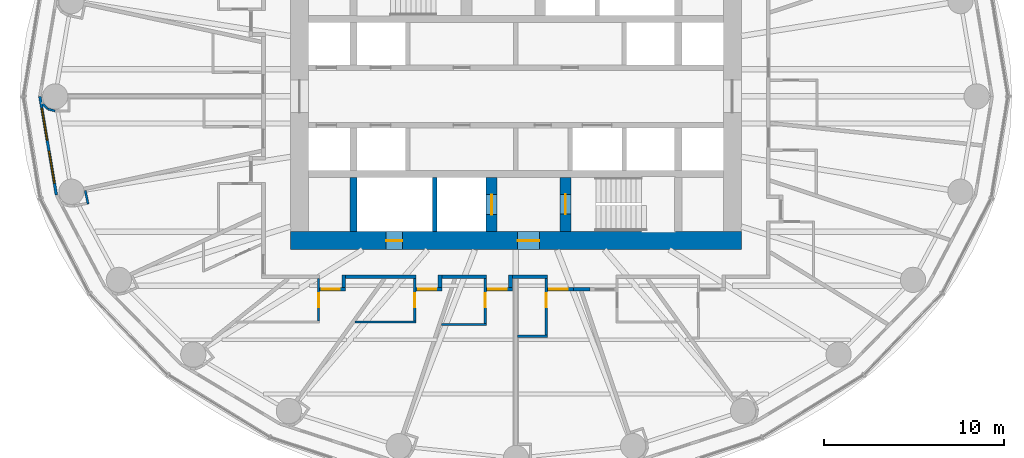
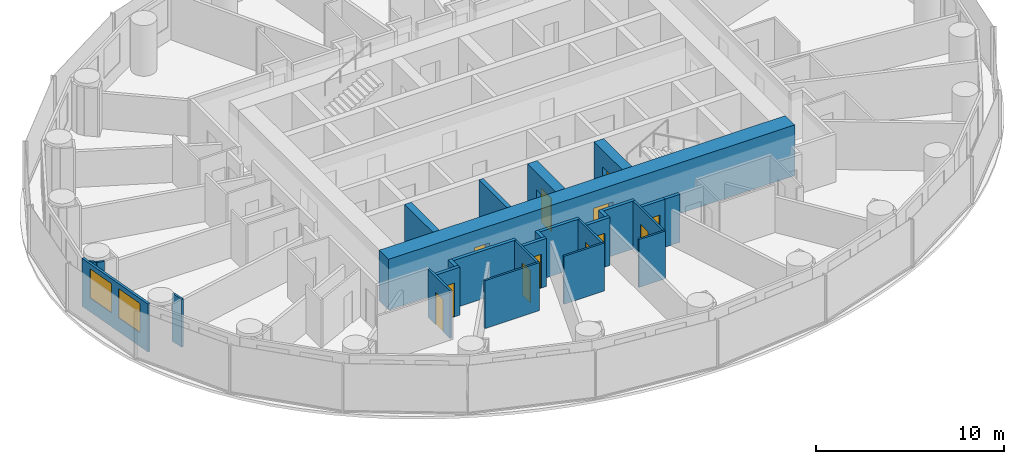
# One storey, part 7 of 14: 27 walls, 12 doors, 2 windows, 14 openings.
"""IFC4 building model written with IfcOpenShell, lengths in metres."""

import ifcopenshell
import ifcopenshell.guid

model = None  # the IFC model being written
_history = None  # IfcOwnerHistory: only IFC2X3 demands one
_inside = {}  # id of a spatial element -> (the spatial element, [elements in it])
_under = {}  # id of a project, library or spatial element -> (it, [spatial elements below it])
_declared = {}  # id of a project -> (the project, [libraries it declares])
_typed = {}  # id of a type object -> (the type object, [elements of that type])
_made_of = {}  # id of a material, layer set ... -> (it, [elements and type objects made of it])


def new_model(schema):
    """Start an empty IFC model of exactly this schema.

    Asked for "IFC4X3", IfcOpenShell would pick the latest addendum, in which some entities
    have other attributes; the version numbers below select the first issue.
    IFC2X3 requires an IfcOwnerHistory on every rooted entity: one is made here for all.
    """
    global model, _history
    if schema == "IFC4X3":
        model = ifcopenshell.file(schema_version=(4, 3, 0, 0))
    else:
        model = ifcopenshell.file(schema=schema)
    _inside.clear()
    _under.clear()
    _declared.clear()
    _typed.clear()
    _made_of.clear()
    _history = None
    if model.schema == "IFC2X3":
        org = make("IfcOrganization", Name="unknown")
        user = make(
            "IfcPersonAndOrganization",
            ThePerson=make("IfcPerson", FamilyName="unknown"),
            TheOrganization=org,
        )
        app = make(
            "IfcApplication",
            ApplicationDeveloper=org,
            Version="unknown",
            ApplicationFullName="unknown",
            ApplicationIdentifier="unknown",
        )
        _history = make(
            "IfcOwnerHistory",
            OwningUser=user,
            OwningApplication=app,
            ChangeAction="ADDED",
            CreationDate=0,
        )
    return model


def make(cls, **values):
    """One entity of the class cls with the attributes given. An attribute that is None is left unset."""
    return model.create_entity(
        cls, **{name: value for name, value in values.items() if value is not None}
    )


def rooted(cls, **values):
    """An entity with a GlobalId (a new one), such as an element, a storey or a relation."""
    return make(cls, GlobalId=ifcopenshell.guid.new(), OwnerHistory=_history, **values)


def si_unit(unit_type, name, prefix=None):
    """IfcSIUnit, for example si_unit("LENGTHUNIT", "METRE", prefix="MILLI")."""
    return make("IfcSIUnit", UnitType=unit_type, Prefix=prefix, Name=name)


def assignment(units):
    """IfcUnitAssignment: the units of a project."""
    return None if units is None else make("IfcUnitAssignment", Units=units)


def point(xyz):
    """IfcCartesianPoint."""
    return None if xyz is None else make("IfcCartesianPoint", Coordinates=xyz)


def direction(xyz):
    """IfcDirection."""
    return None if xyz is None else make("IfcDirection", DirectionRatios=xyz)


def frame(location, z_axis=None, x_axis=None):
    """IfcAxis2Placement3D, a coordinate frame: its origin and axes. An axis left out is left unset."""
    return make(
        "IfcAxis2Placement3D",
        Location=point(location),
        Axis=direction(z_axis),
        RefDirection=direction(x_axis),
    )


def frame_2d(location, x_axis=None):
    """IfcAxis2Placement2D, a coordinate frame in the plane: its origin and x axis."""
    return make(
        "IfcAxis2Placement2D", Location=point(location), RefDirection=direction(x_axis)
    )


def origin():
    """The frame at (0, 0, 0) with its axes left unset."""
    return frame((0.0, 0.0, 0.0))


def place(relative_to, where):
    """IfcLocalPlacement: puts the frame where relative to a parent placement (None: the world)."""
    return make(
        "IfcLocalPlacement", PlacementRelTo=relative_to, RelativePlacement=where
    )


def context(
    kind, dimensions, precision=None, world=None, true_north=None, identifier=None
):
    """IfcGeometricRepresentationContext, for example the 3D "Model" context."""
    return make(
        "IfcGeometricRepresentationContext",
        ContextIdentifier=identifier,
        ContextType=kind,
        CoordinateSpaceDimension=dimensions,
        Precision=precision,
        WorldCoordinateSystem=world,
        TrueNorth=true_north,
    )


def subcontext(parent, identifier, kind, view, scale=None):
    """IfcGeometricRepresentationSubContext, for example "Body" below "Model"."""
    return make(
        "IfcGeometricRepresentationSubContext",
        ContextIdentifier=identifier,
        ContextType=kind,
        ParentContext=parent,
        TargetScale=scale,
        TargetView=view,
    )


def project(units=None, contexts=None):
    """IfcProject with its units and contexts."""
    return rooted(
        "IfcProject",
        Name="project",
        RepresentationContexts=contexts,
        UnitsInContext=assignment(units),
    )


def spatial(cls, under=None, at=None, **own):
    """A site, building, storey or space (cls), placed at a placement, below another one or the project."""
    s = rooted(cls, ObjectPlacement=at, **own)
    if under is not None:
        _under.setdefault(under.id(), (under, []))[1].append(s)
    return s


def profile(cls, at=None, kind="AREA", **sizes):
    """A parametric profile (cls). Its sizes go by their IFC names, for example OverallWidth=200.0."""
    return make(cls, ProfileType=kind, Position=at, **sizes)


def rectangle(**sizes):
    """IfcRectangleProfileDef."""
    return profile("IfcRectangleProfileDef", **sizes)


def extrude(swept, where, along, depth):
    """IfcExtrudedAreaSolid: the profile swept, set in the frame where, extruded along a direction by depth."""
    return make(
        "IfcExtrudedAreaSolid",
        SweptArea=swept,
        Position=where,
        ExtrudedDirection=direction(along),
        Depth=depth,
    )


def shape(context_of_items, identifier, shape_type, items):
    """IfcShapeRepresentation: the items that make up one representation, for example the "Body"."""
    return make(
        "IfcShapeRepresentation",
        ContextOfItems=context_of_items,
        RepresentationIdentifier=identifier,
        RepresentationType=shape_type,
        Items=items,
    )


def material(Name=None, Category=None):
    """IfcMaterial."""
    return make("IfcMaterial", Name=Name, Category=Category)


def layer(
    of_material, thickness, ventilated=None, Name=None, Category=None, Priority=None
):
    """IfcMaterialLayer: one layer of a wall or slab, of a material (None: an air gap)."""
    return make(
        "IfcMaterialLayer",
        Material=of_material,
        LayerThickness=thickness,
        IsVentilated=ventilated,
        Name=Name,
        Category=Category,
        Priority=Priority,
    )


def layer_set(layers, Name=None):
    """IfcMaterialLayerSet."""
    return make("IfcMaterialLayerSet", MaterialLayers=layers, LayerSetName=Name)


def made_of(thing, what):
    """Note that an element or type object is made of a material, layer set ...; save() writes the relation."""
    if what is not None:
        _made_of.setdefault(what.id(), (what, []))[1].append(thing)
    return thing


def type_object(cls, material=None, **own):
    """A type object (cls), such as IfcWallType, which elements share."""
    return made_of(rooted(cls, **own), material)


def element(
    cls,
    number,
    at=None,
    inside=None,
    cuts=None,
    type_object=None,
    material=None,
    context=None,
    identifier="Body",
    shape_type=None,
    held_by="IfcProductDefinitionShape",
    body=None,
    shapes=None,
    **own,
):
    """One element of the class cls, such as IfcWall. Its Tag is "e" and its number.

    at: its placement. inside: the storey or other place that contains it. cuts: it is an
    opening in that element (IfcRelVoidsElement). A single representation is given by context,
    identifier, shape_type and body (its items); several are given by shapes. held_by: the class
    of the entity that holds the representations. save() writes the other relations.
    """
    e = rooted(cls, Tag="e%d" % number, ObjectPlacement=at, **own)
    if body is not None:
        shapes = [shape(context, identifier, shape_type, body)]
    if shapes is not None:
        e.Representation = make(held_by, Representations=shapes)
    if inside is not None:
        _inside.setdefault(inside.id(), (inside, []))[1].append(e)
    if cuts is not None:
        rooted(
            "IfcRelVoidsElement", RelatingBuildingElement=cuts, RelatedOpeningElement=e
        )
    if type_object is not None:
        _typed.setdefault(type_object.id(), (type_object, []))[1].append(e)
    return made_of(e, material)


def fill(opening, filler):
    """IfcRelFillsElement: the door or window that sits in an opening."""
    return rooted(
        "IfcRelFillsElement",
        RelatingOpeningElement=opening,
        RelatedBuildingElement=filler,
    )


def aggregate(whole, parts):
    """IfcRelAggregates: a whole, such as a stair, and the parts it consists of."""
    return rooted("IfcRelAggregates", RelatingObject=whole, RelatedObjects=parts)


def save(model, path):
    """Write the relations noted so far, then the file.

    IfcRelAggregates (storeys below a building ...), IfcRelContainedInSpatialStructure (elements
    in a storey), IfcRelDefinesByType, IfcRelAssociatesMaterial and IfcRelDeclares: one each for
    every whole, place, type object, material and project.
    """
    for whole, parts in _under.values():
        aggregate(whole, parts)
    for where, things in _inside.values():
        rooted(
            "IfcRelContainedInSpatialStructure",
            RelatedElements=things,
            RelatingStructure=where,
        )
    for kind, things in _typed.values():
        rooted("IfcRelDefinesByType", RelatedObjects=things, RelatingType=kind)
    for what, things in _made_of.values():
        rooted("IfcRelAssociatesMaterial", RelatedObjects=things, RelatingMaterial=what)
    for by, libraries in _declared.values():
        rooted("IfcRelDeclares", RelatingContext=by, RelatedDefinitions=libraries)
    model.write(path)


model = new_model("IFC4")

# Units and contexts
model_context = context("Model", 3, precision=1e-05, world=origin(), true_north=direction((0.0, 1.0)))
body_context = subcontext(model_context, "Body", "Model", "MODEL_VIEW")
ifc_project = project(units=[si_unit("LENGTHUNIT", "METRE"), si_unit("AREAUNIT", "SQUARE_METRE"), si_unit("VOLUMEUNIT", "CUBIC_METRE"), si_unit("PLANEANGLEUNIT", "RADIAN"), si_unit("MASSUNIT", "GRAM", prefix="KILO")], contexts=[model_context])

# Site, building, storey
site_placement = place(None, origin())
site = spatial("IfcSite", under=ifc_project, at=site_placement, CompositionType="ELEMENT")
building_placement = place(site_placement, origin())
building = spatial("IfcBuilding", under=site, at=building_placement, Name="Hankou Lantern Tower", CompositionType="ELEMENT")
storey_placement = place(building_placement, frame((0.0, 0.0, 57.300048828125)))
storey = spatial("IfcBuildingStorey", under=building, at=storey_placement, Name="L13", CompositionType="ELEMENT", Elevation=57.300048828125)

# Wall, openings, doors
ifc_material_1 = material(Name="Concrete C60", Category="concrete")
ifc_layer_1 = layer(ifc_material_1, 1.0)
ifc_layer_set_1 = layer_set([ifc_layer_1], Name="Concrete C60")
wall_type_1 = type_object("IfcWallType", Name="CW1 CORE WALL 1000", PredefinedType="SHEAR", material=ifc_layer_set_1)
wall_1_placement = place(storey_placement, frame((12.5, -8.0, 0.0), z_axis=(0.0, 0.0, 1.0), x_axis=(-1.0, 0.0, 0.0)))
wall_1 = element("IfcWall", 1, at=wall_1_placement, inside=storey, type_object=wall_type_1, Name="Core wall south L13", PredefinedType="SHEAR", context=body_context, shape_type="SweptSolid", body=[
    extrude(rectangle(XDim=25.0, YDim=1.0, at=frame_2d((12.5, 0.0))), origin(), (0.0, 0.0, 1.0), 3.300048828125),
])
opening_1_placement = place(wall_1_placement, frame((11.199951171875, 0.0, 0.0)))
opening_1 = element("IfcOpeningElement", 2, at=opening_1_placement, cuts=wall_1, Name="Opening D5", PredefinedType="OPENING", context=body_context, shape_type="SweptSolid", body=[
    extrude(rectangle(XDim=1.199951171875, YDim=2.199951171875, at=frame_2d((0.60009765625, 1.10009765625))), frame((0.0, 0.510009765625, 0.0), z_axis=(0.0, -1.0, 0.0), x_axis=(1.0, 0.0, 0.0)), (0.0, 0.0, 1.0), 1.02001953125),
])
opening_2_placement = place(wall_1_placement, frame((18.800048828125, 0.0, 0.0)))
opening_2 = element("IfcOpeningElement", 3, at=opening_2_placement, cuts=wall_1, Name="Opening D7", PredefinedType="OPENING", context=body_context, shape_type="SweptSolid", body=[
    extrude(rectangle(XDim=0.89990234375, YDim=2.199951171875, at=frame_2d((0.449951171875, 1.10009765625))), frame((0.0, 0.510009765625, 0.0), z_axis=(0.0, -1.0, 0.0), x_axis=(1.0, 0.0, 0.0)), (0.0, 0.0, 1.0), 1.02001953125),
])
ifc_material_2 = material(Name="Steel door leaf", Category="steel")
door_type_1 = type_object("IfcDoorType", Name="D5 STAIR LOBBY DOOR 1200X2200", OperationType="SINGLE_SWING_LEFT", PredefinedType="DOOR", material=ifc_material_2)
door_1_placement = place(opening_1_placement, origin())
door_1 = element("IfcDoor", 4, at=door_1_placement, inside=storey, type_object=door_type_1, Name="Stair B lobby door", OperationType="SINGLE_SWING_LEFT", OverallHeight=2.199951171875, OverallWidth=1.199951171875, PredefinedType="DOOR", context=body_context, shape_type="SweptSolid", body=[
    extrude(rectangle(XDim=1.199951171875, YDim=2.199951171875, at=frame_2d((0.60009765625, 1.10009765625))), frame((0.0, 0.02490234375, 0.0), z_axis=(0.0, -1.0, 0.0), x_axis=(1.0, 0.0, 0.0)), (0.0, 0.0, 1.0), 0.050048828125),
])
fill(opening_1, door_1)
ifc_material_3 = material(Name="Steel door leaf", Category="steel")
door_type_2 = type_object("IfcDoorType", Name="D7 RISER DOOR 900X2200", OperationType="SINGLE_SWING_LEFT", PredefinedType="DOOR", material=ifc_material_3)
door_2_placement = place(opening_2_placement, origin())
door_2 = element("IfcDoor", 5, at=door_2_placement, inside=storey, type_object=door_type_2, Name="Riser S1 door", OperationType="SINGLE_SWING_RIGHT", OverallHeight=2.199951171875, OverallWidth=0.89990234375, PredefinedType="DOOR", context=body_context, shape_type="SweptSolid", body=[
    extrude(rectangle(XDim=0.89990234375, YDim=2.199951171875, at=frame_2d((0.449951171875, 1.10009765625))), frame((0.0, 0.02490234375, 0.0), z_axis=(0.0, -1.0, 0.0), x_axis=(1.0, 0.0, 0.0)), (0.0, 0.0, 1.0), 0.050048828125),
])
fill(opening_2, door_2)

# Wall
ifc_material_4 = material(Name="Concrete C60", Category="concrete")
ifc_layer_2 = layer(ifc_material_4, 0.39990234375)
ifc_layer_set_2 = layer_set([ifc_layer_2], Name="Concrete C60")
wall_type_2 = type_object("IfcWallType", Name="CW4 CORE CROSS WALL 400", PredefinedType="SHEAR", material=ifc_layer_set_2)
wall_2_placement = place(storey_placement, frame((-9.0, -7.5, 0.0), z_axis=(0.0, 0.0, 1.0), x_axis=(0.0, 1.0, 0.0)))
element("IfcWall", 6, at=wall_2_placement, inside=storey, type_object=wall_type_2, Name="Core strip wall L13", PredefinedType="SHEAR", context=body_context, shape_type="SweptSolid", body=[
    extrude(rectangle(XDim=3.0, YDim=0.39990234375, at=frame_2d((1.5, 0.0))), origin(), (0.0, 0.0, 1.0), 3.300048828125),
])

# Wall, opening, door
ifc_material_5 = material(Name="Concrete C60", Category="concrete")
ifc_layer_3 = layer(ifc_material_5, 0.60009765625)
ifc_layer_set_3 = layer_set([ifc_layer_3], Name="Concrete C60")
wall_type_3 = type_object("IfcWallType", Name="CW6 STAIR AND SHAFT WALL 600", PredefinedType="SHEAR", material=ifc_layer_set_3)
wall_3_placement = place(storey_placement, frame((2.75, -7.5, 0.0), z_axis=(0.0, 0.0, 1.0), x_axis=(0.0, 1.0, 0.0)))
wall_3 = element("IfcWall", 7, at=wall_3_placement, inside=storey, type_object=wall_type_3, Name="Stair wall L13", PredefinedType="SHEAR", context=body_context, shape_type="SweptSolid", body=[
    extrude(rectangle(XDim=3.0, YDim=0.60009765625, at=frame_2d((1.5, 0.0))), origin(), (0.0, 0.0, 1.0), 3.300048828125),
])
opening_3_placement = place(wall_3_placement, frame((0.97509765625, 0.0, 0.0)))
opening_3 = element("IfcOpeningElement", 8, at=opening_3_placement, cuts=wall_3, Name="Opening D4", PredefinedType="OPENING", context=body_context, shape_type="SweptSolid", body=[
    extrude(rectangle(XDim=1.10009765625, YDim=2.199951171875, at=frame_2d((0.550048828125, 1.10009765625))), frame((0.0, 0.31005859375, 0.0), z_axis=(0.0, -1.0, 0.0), x_axis=(1.0, 0.0, 0.0)), (0.0, 0.0, 1.0), 0.6201171875),
])
ifc_material_6 = material(Name="Steel door leaf", Category="steel")
door_type_3 = type_object("IfcDoorType", Name="D4 STAIR DOOR 1100X2200", OperationType="SINGLE_SWING_LEFT", PredefinedType="DOOR", material=ifc_material_6)
door_3_placement = place(opening_3_placement, origin())
door_3 = element("IfcDoor", 9, at=door_3_placement, inside=storey, type_object=door_type_3, Name="Stair B door", OperationType="SINGLE_SWING_RIGHT", OverallHeight=2.199951171875, OverallWidth=1.10009765625, PredefinedType="DOOR", context=body_context, shape_type="SweptSolid", body=[
    extrude(rectangle(XDim=1.10009765625, YDim=2.199951171875, at=frame_2d((0.550048828125, 1.10009765625))), frame((0.0, 0.02490234375, 0.0), z_axis=(0.0, -1.0, 0.0), x_axis=(1.0, 0.0, 0.0)), (0.0, 0.0, 1.0), 0.050048828125),
])
fill(opening_3, door_3)

wall_4_placement = place(storey_placement, frame((-1.35009765625, -7.5, 0.0), z_axis=(0.0, 0.0, 1.0), x_axis=(0.0, 1.0, 0.0)))
wall_4 = element("IfcWall", 10, at=wall_4_placement, inside=storey, type_object=wall_type_3, Name="Firefighting lift shaft wall L13", PredefinedType="SHEAR", context=body_context, shape_type="SweptSolid", body=[
    extrude(rectangle(XDim=3.0, YDim=0.60009765625, at=frame_2d((1.5, 0.0))), origin(), (0.0, 0.0, 1.0), 3.300048828125),
])
opening_4_placement = place(wall_4_placement, frame((0.949951171875, 0.0, 0.0)))
opening_4 = element("IfcOpeningElement", 11, at=opening_4_placement, cuts=wall_4, Name="Opening LD2", PredefinedType="OPENING", context=body_context, shape_type="SweptSolid", body=[
    extrude(rectangle(XDim=1.10009765625, YDim=2.199951171875, at=frame_2d((0.550048828125, 1.10009765625))), frame((0.0, 0.31005859375, 0.0), z_axis=(0.0, -1.0, 0.0), x_axis=(1.0, 0.0, 0.0)), (0.0, 0.0, 1.0), 0.6201171875),
])
ifc_material_7 = material(Name="Steel door leaf", Category="steel")
door_type_4 = type_object("IfcDoorType", Name="LD2 FIREFIGHTING LIFT LANDING DOOR 1100X2200", OperationType="DOUBLE_DOOR_SLIDING", PredefinedType="DOOR", material=ifc_material_7)
door_4_placement = place(opening_4_placement, origin())
door_4 = element("IfcDoor", 12, at=door_4_placement, inside=storey, type_object=door_type_4, Name="Firefighting lift FL2 landing door", OperationType="DOUBLE_DOOR_SLIDING", OverallHeight=2.199951171875, OverallWidth=1.10009765625, PredefinedType="DOOR", context=body_context, shape_type="SweptSolid", body=[
    extrude(rectangle(XDim=1.10009765625, YDim=2.199951171875, at=frame_2d((0.550048828125, 1.10009765625))), frame((0.0, 0.02490234375, 0.0), z_axis=(0.0, -1.0, 0.0), x_axis=(1.0, 0.0, 0.0)), (0.0, 0.0, 1.0), 0.050048828125),
])
fill(opening_4, door_4)

# Wall, openings, windows
ifc_material_8 = material(Name="Aluminium spandrel panel on steel studs", Category="steel")
ifc_layer_4 = layer(ifc_material_8, 0.14990234375)
ifc_layer_set_4 = layer_set([ifc_layer_4], Name="Aluminium spandrel panel on steel studs")
wall_type_4 = type_object("IfcWallType", Name="EW1 INNER SKIN WALL 150", PredefinedType="ELEMENTEDWALL", material=ifc_layer_set_4)
wall_5_placement = place(storey_placement, frame((-26.39990234375, 0.0, 0.0), z_axis=(0.0, 0.0, 1.0), x_axis=(0.165642551694, -0.986185857264, 0.0)))
wall_5 = element("IfcWall", 13, at=wall_5_placement, inside=storey, type_object=wall_type_4, Name="Inner skin R13-R14 L13", PredefinedType="ELEMENTEDWALL", context=body_context, shape_type="SweptSolid", body=[
    extrude(rectangle(XDim=5.538818359375, YDim=0.14990234375, at=frame_2d((2.76953125, 0.0))), origin(), (0.0, 0.0, 1.0), 3.119873046875),
])
opening_5_placement = place(wall_5_placement, frame((0.66943359375, 0.0, 0.89990234375)))
opening_5 = element("IfcOpeningElement", 14, at=opening_5_placement, cuts=wall_5, Name="Opening W1", PredefinedType="OPENING", context=body_context, shape_type="SweptSolid", body=[
    extrude(rectangle(XDim=1.800048828125, YDim=1.89990234375, at=frame_2d((0.89990234375, 0.949951171875))), frame((0.0, 0.0849609375, 0.0), z_axis=(0.0, -1.0, 0.0), x_axis=(1.0, 0.0, 0.0)), (0.0, 0.0, 1.0), 0.169921875),
])
opening_6_placement = place(wall_5_placement, frame((3.069580078125, 0.0, 0.89990234375)))
opening_6 = element("IfcOpeningElement", 15, at=opening_6_placement, cuts=wall_5, Name="Opening W1", PredefinedType="OPENING", context=body_context, shape_type="SweptSolid", body=[
    extrude(rectangle(XDim=1.800048828125, YDim=1.89990234375, at=frame_2d((0.89990234375, 0.949951171875))), frame((0.0, 0.0849609375, 0.0), z_axis=(0.0, -1.0, 0.0), x_axis=(1.0, 0.0, 0.0)), (0.0, 0.0, 1.0), 0.169921875),
])
ifc_material_9 = material(Name="Aluminium framed double glazed window", Category="aluminium")
window_type = type_object("IfcWindowType", Name="W1 GUEST ROOM WINDOW 1800X1900", PartitioningType="DOUBLE_PANEL_VERTICAL", PredefinedType="WINDOW", material=ifc_material_9)
window_1_placement = place(opening_5_placement, origin())
window_1 = element("IfcWindow", 16, at=window_1_placement, inside=storey, type_object=window_type, Name="Window R13.1 L13", OverallHeight=1.89990234375, OverallWidth=1.800048828125, PartitioningType="SINGLE_PANEL", PredefinedType="WINDOW", context=body_context, shape_type="SweptSolid", body=[
    extrude(rectangle(XDim=1.800048828125, YDim=1.89990234375, at=frame_2d((0.89990234375, 0.949951171875))), frame((0.0, 0.030029296875, 0.0), z_axis=(0.0, -1.0, 0.0), x_axis=(1.0, 0.0, 0.0)), (0.0, 0.0, 1.0), 0.06005859375),
])
fill(opening_5, window_1)
window_2_placement = place(opening_6_placement, origin())
window_2 = element("IfcWindow", 17, at=window_2_placement, inside=storey, type_object=window_type, Name="Window R13.2 L13", OverallHeight=1.89990234375, OverallWidth=1.800048828125, PartitioningType="SINGLE_PANEL", PredefinedType="WINDOW", context=body_context, shape_type="SweptSolid", body=[
    extrude(rectangle(XDim=1.800048828125, YDim=1.89990234375, at=frame_2d((0.89990234375, 0.949951171875))), frame((0.0, 0.030029296875, 0.0), z_axis=(0.0, -1.0, 0.0), x_axis=(1.0, 0.0, 0.0)), (0.0, 0.0, 1.0), 0.06005859375),
])
fill(opening_6, window_2)

# Wall, opening, door
ifc_material_10 = material(Name="Masonry lightweight concrete block", Category="masonry")
ifc_layer_5 = layer(ifc_material_10, 0.199951171875)
ifc_layer_set_5 = layer_set([ifc_layer_5], Name="Masonry lightweight concrete block")
wall_type_5 = type_object("IfcWallType", Name="IW2 CORRIDOR WALL 200", PredefinedType="PARTITIONING", material=ifc_layer_set_5)
wall_6_placement = place(storey_placement, frame((-9.445068359375, -10.699951171875, 0.0), z_axis=(0.0, 0.0, 1.0), x_axis=(-1.0, 0.0, 0.0)))
wall_6 = element("IfcWall", 18, at=wall_6_placement, inside=storey, type_object=wall_type_5, Name="Corridor recess wall 1312 back", PredefinedType="PARTITIONING", context=body_context, shape_type="SweptSolid", body=[
    extrude(rectangle(XDim=1.43994140625, YDim=0.199951171875, at=frame_2d((0.719970703125, 0.0))), origin(), (0.0, 0.0, 1.0), 3.119873046875),
])
opening_7_placement = place(wall_6_placement, frame((0.320068359375, 0.0, 0.0)))
opening_7 = element("IfcOpeningElement", 19, at=opening_7_placement, cuts=wall_6, Name="Opening D1", PredefinedType="OPENING", context=body_context, shape_type="SweptSolid", body=[
    extrude(rectangle(XDim=1.0, YDim=2.199951171875, at=frame_2d((0.5, 1.10009765625))), frame((0.0, 0.10986328125, 0.0), z_axis=(0.0, -1.0, 0.0), x_axis=(1.0, 0.0, 0.0)), (0.0, 0.0, 1.0), 0.219970703125),
])
ifc_material_11 = material(Name="Steel door leaf", Category="steel")
door_type_5 = type_object("IfcDoorType", Name="D1 GUEST ROOM DOOR 1000X2200", OperationType="SINGLE_SWING_LEFT", PredefinedType="DOOR", material=ifc_material_11)
door_5_placement = place(opening_7_placement, origin())
door_5 = element("IfcDoor", 20, at=door_5_placement, inside=storey, type_object=door_type_5, Name="Guest room door 1312", OperationType="SINGLE_SWING_RIGHT", OverallHeight=2.199951171875, OverallWidth=1.0, PredefinedType="DOOR", context=body_context, shape_type="SweptSolid", body=[
    extrude(rectangle(XDim=1.0, YDim=2.199951171875, at=frame_2d((0.5, 1.10009765625))), frame((0.0, 0.02490234375, 0.0), z_axis=(0.0, -1.0, 0.0), x_axis=(1.0, 0.0, 0.0)), (0.0, 0.0, 1.0), 0.050048828125),
])
fill(opening_7, door_5)

# Wall
wall_7_placement = place(storey_placement, frame((-9.544921875, -9.89990234375, 0.0), z_axis=(0.0, 0.0, 1.0), x_axis=(0.0, -1.0, 0.0)))
element("IfcWall", 21, at=wall_7_placement, inside=storey, type_object=wall_type_5, Name="Corridor recess wall 1312 side", PredefinedType="PARTITIONING", context=body_context, shape_type="SweptSolid", body=[
    extrude(rectangle(XDim=0.7001953125, YDim=0.199951171875, at=frame_2d((0.35009765625, 0.0))), origin(), (0.0, 0.0, 1.0), 3.119873046875),
])

# Wall, opening, door
wall_8_placement = place(storey_placement, frame((-4.109130859375, -10.699951171875, 0.0), z_axis=(0.0, 0.0, 1.0), x_axis=(-1.0, 0.0, 0.0)))
wall_8 = element("IfcWall", 22, at=wall_8_placement, inside=storey, type_object=wall_type_5, Name="Corridor recess wall 1313 back", PredefinedType="PARTITIONING", context=body_context, shape_type="SweptSolid", body=[
    extrude(rectangle(XDim=1.43994140625, YDim=0.199951171875, at=frame_2d((0.719970703125, 0.0))), origin(), (0.0, 0.0, 1.0), 3.119873046875),
])
opening_8_placement = place(wall_8_placement, frame((0.320068359375, 0.0, 0.0)))
opening_8 = element("IfcOpeningElement", 23, at=opening_8_placement, cuts=wall_8, Name="Opening D1", PredefinedType="OPENING", context=body_context, shape_type="SweptSolid", body=[
    extrude(rectangle(XDim=1.0, YDim=2.199951171875, at=frame_2d((0.5, 1.10009765625))), frame((0.0, 0.10986328125, 0.0), z_axis=(0.0, -1.0, 0.0), x_axis=(1.0, 0.0, 0.0)), (0.0, 0.0, 1.0), 0.219970703125),
])
door_6_placement = place(opening_8_placement, origin())
door_6 = element("IfcDoor", 24, at=door_6_placement, inside=storey, type_object=door_type_5, Name="Guest room door 1313", OperationType="SINGLE_SWING_RIGHT", OverallHeight=2.199951171875, OverallWidth=1.0, PredefinedType="DOOR", context=body_context, shape_type="SweptSolid", body=[
    extrude(rectangle(XDim=1.0, YDim=2.199951171875, at=frame_2d((0.5, 1.10009765625))), frame((0.0, 0.02490234375, 0.0), z_axis=(0.0, -1.0, 0.0), x_axis=(1.0, 0.0, 0.0)), (0.0, 0.0, 1.0), 0.050048828125),
])
fill(opening_8, door_6)

# Wall
wall_9_placement = place(storey_placement, frame((-4.208984375, -9.89990234375, 0.0), z_axis=(0.0, 0.0, 1.0), x_axis=(0.0, -1.0, 0.0)))
element("IfcWall", 25, at=wall_9_placement, inside=storey, type_object=wall_type_5, Name="Corridor recess wall 1313 side", PredefinedType="PARTITIONING", context=body_context, shape_type="SweptSolid", body=[
    extrude(rectangle(XDim=0.7001953125, YDim=0.199951171875, at=frame_2d((0.35009765625, 0.0))), origin(), (0.0, 0.0, 1.0), 3.119873046875),
])

# Wall, opening, door
wall_10_placement = place(storey_placement, frame((-0.202880859375, -10.699951171875, 0.0), z_axis=(0.0, 0.0, 1.0), x_axis=(-1.0, 0.0, 0.0)))
wall_10 = element("IfcWall", 26, at=wall_10_placement, inside=storey, type_object=wall_type_5, Name="Corridor recess wall 1314 back", PredefinedType="PARTITIONING", context=body_context, shape_type="SweptSolid", body=[
    extrude(rectangle(XDim=1.43994140625, YDim=0.199951171875, at=frame_2d((0.719970703125, 0.0))), origin(), (0.0, 0.0, 1.0), 3.119873046875),
])
opening_9_placement = place(wall_10_placement, frame((0.320068359375, 0.0, 0.0)))
opening_9 = element("IfcOpeningElement", 27, at=opening_9_placement, cuts=wall_10, Name="Opening D1", PredefinedType="OPENING", context=body_context, shape_type="SweptSolid", body=[
    extrude(rectangle(XDim=1.0, YDim=2.199951171875, at=frame_2d((0.5, 1.10009765625))), frame((0.0, 0.10986328125, 0.0), z_axis=(0.0, -1.0, 0.0), x_axis=(1.0, 0.0, 0.0)), (0.0, 0.0, 1.0), 0.219970703125),
])
door_7_placement = place(opening_9_placement, origin())
door_7 = element("IfcDoor", 28, at=door_7_placement, inside=storey, type_object=door_type_5, Name="Guest room door 1314", OperationType="SINGLE_SWING_RIGHT", OverallHeight=2.199951171875, OverallWidth=1.0, PredefinedType="DOOR", context=body_context, shape_type="SweptSolid", body=[
    extrude(rectangle(XDim=1.0, YDim=2.199951171875, at=frame_2d((0.5, 1.10009765625))), frame((0.0, 0.02490234375, 0.0), z_axis=(0.0, -1.0, 0.0), x_axis=(1.0, 0.0, 0.0)), (0.0, 0.0, 1.0), 0.050048828125),
])
fill(opening_9, door_7)

# Wall
wall_11_placement = place(storey_placement, frame((-0.302978515625, -9.89990234375, 0.0), z_axis=(0.0, 0.0, 1.0), x_axis=(0.0, -1.0, 0.0)))
element("IfcWall", 29, at=wall_11_placement, inside=storey, type_object=wall_type_5, Name="Corridor recess wall 1314 side", PredefinedType="PARTITIONING", context=body_context, shape_type="SweptSolid", body=[
    extrude(rectangle(XDim=0.7001953125, YDim=0.199951171875, at=frame_2d((0.35009765625, 0.0))), origin(), (0.0, 0.0, 1.0), 3.119873046875),
])

# Wall, opening, door
wall_12_placement = place(storey_placement, frame((3.179931640625, -10.699951171875, 0.0), z_axis=(0.0, 0.0, 1.0), x_axis=(-1.0, 0.0, 0.0)))
wall_12 = element("IfcWall", 30, at=wall_12_placement, inside=storey, type_object=wall_type_5, Name="Corridor recess wall 1315 back", PredefinedType="PARTITIONING", context=body_context, shape_type="SweptSolid", body=[
    extrude(rectangle(XDim=1.43994140625, YDim=0.199951171875, at=frame_2d((0.719970703125, 0.0))), origin(), (0.0, 0.0, 1.0), 3.119873046875),
])
opening_10_placement = place(wall_12_placement, frame((0.320068359375, 0.0, 0.0)))
opening_10 = element("IfcOpeningElement", 31, at=opening_10_placement, cuts=wall_12, Name="Opening D1", PredefinedType="OPENING", context=body_context, shape_type="SweptSolid", body=[
    extrude(rectangle(XDim=1.0, YDim=2.199951171875, at=frame_2d((0.5, 1.10009765625))), frame((0.0, 0.10986328125, 0.0), z_axis=(0.0, -1.0, 0.0), x_axis=(1.0, 0.0, 0.0)), (0.0, 0.0, 1.0), 0.219970703125),
])
door_8_placement = place(opening_10_placement, origin())
door_8 = element("IfcDoor", 32, at=door_8_placement, inside=storey, type_object=door_type_5, Name="Guest room door 1315", OperationType="SINGLE_SWING_RIGHT", OverallHeight=2.199951171875, OverallWidth=1.0, PredefinedType="DOOR", context=body_context, shape_type="SweptSolid", body=[
    extrude(rectangle(XDim=1.0, YDim=2.199951171875, at=frame_2d((0.5, 1.10009765625))), frame((0.0, 0.02490234375, 0.0), z_axis=(0.0, -1.0, 0.0), x_axis=(1.0, 0.0, 0.0)), (0.0, 0.0, 1.0), 0.050048828125),
])
fill(opening_10, door_8)

# Walls
wall_13_placement = place(storey_placement, frame((4.109130859375, -10.699951171875, 0.0), z_axis=(0.0, 0.0, 1.0), x_axis=(-1.0, 0.0, 0.0)))
element("IfcWall", 33, at=wall_13_placement, inside=storey, type_object=wall_type_5, Name="Corridor recess wall 1316 and 1315 back", PredefinedType="PARTITIONING", context=body_context, shape_type="SweptSolid", body=[
    extrude(rectangle(XDim=0.92919921875, YDim=0.199951171875, at=frame_2d((0.464599609375, 0.0))), origin(), (0.0, 0.0, 1.0), 3.119873046875),
])
wall_14_placement = place(storey_placement, frame((1.739990234375, -10.0, 0.0), z_axis=(0.0, 0.0, 1.0), x_axis=(-1.0, 0.0, 0.0)))
element("IfcWall", 34, at=wall_14_placement, inside=storey, type_object=wall_type_5, Name="Corridor wall south", PredefinedType="PARTITIONING", context=body_context, shape_type="SweptSolid", body=[
    extrude(rectangle(XDim=1.94287109375, YDim=0.199951171875, at=frame_2d((0.971435546875, 0.0))), origin(), (0.0, 0.0, 1.0), 3.119873046875),
])
wall_15_placement = place(storey_placement, frame((-1.642822265625, -10.0, 0.0), z_axis=(0.0, 0.0, 1.0), x_axis=(-1.0, 0.0, 0.0)))
element("IfcWall", 35, at=wall_15_placement, inside=storey, type_object=wall_type_5, Name="Corridor wall south", PredefinedType="PARTITIONING", context=body_context, shape_type="SweptSolid", body=[
    extrude(rectangle(XDim=2.46630859375, YDim=0.199951171875, at=frame_2d((1.233154296875, 0.0))), origin(), (0.0, 0.0, 1.0), 3.119873046875),
])
wall_16_placement = place(storey_placement, frame((-5.549072265625, -10.0, 0.0), z_axis=(0.0, 0.0, 1.0), x_axis=(-1.0, 0.0, 0.0)))
element("IfcWall", 36, at=wall_16_placement, inside=storey, type_object=wall_type_5, Name="Corridor wall south", PredefinedType="PARTITIONING", context=body_context, shape_type="SweptSolid", body=[
    extrude(rectangle(XDim=3.89599609375, YDim=0.199951171875, at=frame_2d((1.947998046875, 0.0))), origin(), (0.0, 0.0, 1.0), 3.119873046875),
])

# Wall, opening, door
ifc_material_12 = material(Name="Masonry lightweight concrete block", Category="masonry")
ifc_layer_6 = layer(ifc_material_12, 0.1201171875)
ifc_layer_set_6 = layer_set([ifc_layer_6], Name="Masonry lightweight concrete block")
wall_type_6 = type_object("IfcWallType", Name="IW3 BATHROOM WALL 120", PredefinedType="PARTITIONING", material=ifc_layer_set_6)
wall_17_placement = place(storey_placement, frame((-10.945068359375, -10.10009765625, 0.0), z_axis=(0.0, 0.0, 1.0), x_axis=(0.0, -1.0, 0.0)))
wall_17 = element("IfcWall", 37, at=wall_17_placement, inside=storey, type_object=wall_type_6, Name="Box wall 1312 1", PredefinedType="PARTITIONING", context=body_context, shape_type="SweptSolid", body=[
    extrude(rectangle(XDim=2.33984375, YDim=0.1201171875, at=frame_2d((1.169921875, 0.0))), origin(), (0.0, 0.0, 1.0), 3.119873046875),
])
opening_11_placement = place(wall_17_placement, frame((0.800048828125, 0.0, 0.0)))
opening_11 = element("IfcOpeningElement", 38, at=opening_11_placement, cuts=wall_17, Name="Opening D3", PredefinedType="OPENING", context=body_context, shape_type="SweptSolid", body=[
    extrude(rectangle(XDim=0.800048828125, YDim=2.10009765625, at=frame_2d((0.39990234375, 1.050048828125))), frame((0.0, 0.070068359375, 0.0), z_axis=(0.0, -1.0, 0.0), x_axis=(1.0, 0.0, 0.0)), (0.0, 0.0, 1.0), 0.14013671875),
])
ifc_material_13 = material(Name="Timber door leaf", Category="wood")
door_type_6 = type_object("IfcDoorType", Name="D3 BATHROOM DOOR 800X2100", OperationType="SINGLE_SWING_LEFT", PredefinedType="DOOR", material=ifc_material_13)
door_9_placement = place(opening_11_placement, origin())
door_9 = element("IfcDoor", 39, at=door_9_placement, inside=storey, type_object=door_type_6, Name="En-suite bathroom 1312 door", OperationType="SINGLE_SWING_LEFT", OverallHeight=2.10009765625, OverallWidth=0.800048828125, PredefinedType="DOOR", context=body_context, shape_type="SweptSolid", body=[
    extrude(rectangle(XDim=0.800048828125, YDim=2.10009765625, at=frame_2d((0.39990234375, 1.050048828125))), frame((0.0, 0.02490234375, 0.0), z_axis=(0.0, -1.0, 0.0), x_axis=(1.0, 0.0, 0.0)), (0.0, 0.0, 1.0), 0.050048828125),
])
fill(opening_11, door_9)

# Wall
wall_18_placement = place(storey_placement, frame((-8.921142578125, -12.5, 0.0), z_axis=(0.0, 0.0, 1.0), x_axis=(1.0, 0.0, 0.0)))
element("IfcWall", 40, at=wall_18_placement, inside=storey, type_object=wall_type_6, Name="Box wall 1313 1", PredefinedType="PARTITIONING", context=body_context, shape_type="SweptSolid", body=[
    extrude(rectangle(XDim=3.3720703125, YDim=0.1201171875, at=frame_2d((1.68603515625, 0.0))), origin(), (0.0, 0.0, 1.0), 3.119873046875),
])

# Wall, opening, door
wall_19_placement = place(storey_placement, frame((-5.609130859375, -10.10009765625, 0.0), z_axis=(0.0, 0.0, 1.0), x_axis=(0.0, -1.0, 0.0)))
wall_19 = element("IfcWall", 41, at=wall_19_placement, inside=storey, type_object=wall_type_6, Name="Box wall 1313 1", PredefinedType="PARTITIONING", context=body_context, shape_type="SweptSolid", body=[
    extrude(rectangle(XDim=2.33984375, YDim=0.1201171875, at=frame_2d((1.169921875, 0.0))), origin(), (0.0, 0.0, 1.0), 3.119873046875),
])
opening_12_placement = place(wall_19_placement, frame((0.800048828125, 0.0, 0.0)))
opening_12 = element("IfcOpeningElement", 42, at=opening_12_placement, cuts=wall_19, Name="Opening D3", PredefinedType="OPENING", context=body_context, shape_type="SweptSolid", body=[
    extrude(rectangle(XDim=0.800048828125, YDim=2.10009765625, at=frame_2d((0.39990234375, 1.050048828125))), frame((0.0, 0.070068359375, 0.0), z_axis=(0.0, -1.0, 0.0), x_axis=(1.0, 0.0, 0.0)), (0.0, 0.0, 1.0), 0.14013671875),
])
door_10_placement = place(opening_12_placement, origin())
door_10 = element("IfcDoor", 43, at=door_10_placement, inside=storey, type_object=door_type_6, Name="En-suite bathroom 1313 door", OperationType="SINGLE_SWING_LEFT", OverallHeight=2.10009765625, OverallWidth=0.800048828125, PredefinedType="DOOR", context=body_context, shape_type="SweptSolid", body=[
    extrude(rectangle(XDim=0.800048828125, YDim=2.10009765625, at=frame_2d((0.39990234375, 1.050048828125))), frame((0.0, 0.02490234375, 0.0), z_axis=(0.0, -1.0, 0.0), x_axis=(1.0, 0.0, 0.0)), (0.0, 0.0, 1.0), 0.050048828125),
])
fill(opening_12, door_10)

# Wall
wall_20_placement = place(storey_placement, frame((-4.136962890625, -12.64990234375, 0.0), z_axis=(0.0, 0.0, 1.0), x_axis=(1.0, 0.0, 0.0)))
element("IfcWall", 44, at=wall_20_placement, inside=storey, type_object=wall_type_6, Name="Box wall 1314 1", PredefinedType="PARTITIONING", context=body_context, shape_type="SweptSolid", body=[
    extrude(rectangle(XDim=2.494140625, YDim=0.1201171875, at=frame_2d((1.2470703125, 0.0))), origin(), (0.0, 0.0, 1.0), 3.119873046875),
])

# Wall, opening, door
wall_21_placement = place(storey_placement, frame((-1.702880859375, -10.10009765625, 0.0), z_axis=(0.0, 0.0, 1.0), x_axis=(0.0, -1.0, 0.0)))
wall_21 = element("IfcWall", 45, at=wall_21_placement, inside=storey, type_object=wall_type_6, Name="Box wall 1314 1", PredefinedType="PARTITIONING", context=body_context, shape_type="SweptSolid", body=[
    extrude(rectangle(XDim=2.489990234375, YDim=0.1201171875, at=frame_2d((1.2451171875, 0.0))), origin(), (0.0, 0.0, 1.0), 3.119873046875),
])
opening_13_placement = place(wall_21_placement, frame((0.800048828125, 0.0, 0.0)))
opening_13 = element("IfcOpeningElement", 46, at=opening_13_placement, cuts=wall_21, Name="Opening D3", PredefinedType="OPENING", context=body_context, shape_type="SweptSolid", body=[
    extrude(rectangle(XDim=0.800048828125, YDim=2.10009765625, at=frame_2d((0.39990234375, 1.050048828125))), frame((0.0, 0.070068359375, 0.0), z_axis=(0.0, -1.0, 0.0), x_axis=(1.0, 0.0, 0.0)), (0.0, 0.0, 1.0), 0.14013671875),
])
door_11_placement = place(opening_13_placement, origin())
door_11 = element("IfcDoor", 47, at=door_11_placement, inside=storey, type_object=door_type_6, Name="En-suite bathroom 1314 door", OperationType="SINGLE_SWING_LEFT", OverallHeight=2.10009765625, OverallWidth=0.800048828125, PredefinedType="DOOR", context=body_context, shape_type="SweptSolid", body=[
    extrude(rectangle(XDim=0.800048828125, YDim=2.10009765625, at=frame_2d((0.39990234375, 1.050048828125))), frame((0.0, 0.02490234375, 0.0), z_axis=(0.0, -1.0, 0.0), x_axis=(1.0, 0.0, 0.0)), (0.0, 0.0, 1.0), 0.050048828125),
])
fill(opening_13, door_11)

# Wall
wall_22_placement = place(storey_placement, frame((0.10009765625, -13.300048828125, 0.0), z_axis=(0.0, 0.0, 1.0), x_axis=(1.0, 0.0, 0.0)))
element("IfcWall", 48, at=wall_22_placement, inside=storey, type_object=wall_type_6, Name="Box wall 1315 1", PredefinedType="PARTITIONING", context=body_context, shape_type="SweptSolid", body=[
    extrude(rectangle(XDim=1.639892578125, YDim=0.1201171875, at=frame_2d((0.81982421875, 0.0))), origin(), (0.0, 0.0, 1.0), 3.119873046875),
])

# Wall, opening, door
wall_23_placement = place(storey_placement, frame((1.679931640625, -10.10009765625, 0.0), z_axis=(0.0, 0.0, 1.0), x_axis=(0.0, -1.0, 0.0)))
wall_23 = element("IfcWall", 49, at=wall_23_placement, inside=storey, type_object=wall_type_6, Name="Box wall 1315 1", PredefinedType="PARTITIONING", context=body_context, shape_type="SweptSolid", body=[
    extrude(rectangle(XDim=3.139892578125, YDim=0.1201171875, at=frame_2d((1.56982421875, 0.0))), origin(), (0.0, 0.0, 1.0), 3.119873046875),
])
opening_14_placement = place(wall_23_placement, frame((0.800048828125, 0.0, 0.0)))
opening_14 = element("IfcOpeningElement", 50, at=opening_14_placement, cuts=wall_23, Name="Opening D3", PredefinedType="OPENING", context=body_context, shape_type="SweptSolid", body=[
    extrude(rectangle(XDim=0.800048828125, YDim=2.10009765625, at=frame_2d((0.39990234375, 1.050048828125))), frame((0.0, 0.070068359375, 0.0), z_axis=(0.0, -1.0, 0.0), x_axis=(1.0, 0.0, 0.0)), (0.0, 0.0, 1.0), 0.14013671875),
])
door_12_placement = place(opening_14_placement, origin())
door_12 = element("IfcDoor", 51, at=door_12_placement, inside=storey, type_object=door_type_6, Name="En-suite bathroom 1315 door", OperationType="SINGLE_SWING_LEFT", OverallHeight=2.10009765625, OverallWidth=0.800048828125, PredefinedType="DOOR", context=body_context, shape_type="SweptSolid", body=[
    extrude(rectangle(XDim=0.800048828125, YDim=2.10009765625, at=frame_2d((0.39990234375, 1.050048828125))), frame((0.0, 0.02490234375, 0.0), z_axis=(0.0, -1.0, 0.0), x_axis=(1.0, 0.0, 0.0)), (0.0, 0.0, 1.0), 0.050048828125),
])
fill(opening_14, door_12)

# Walls
ifc_material_14 = material(Name="Masonry lightweight concrete block", Category="masonry")
ifc_layer_7 = layer(ifc_material_14, 0.1201171875)
ifc_layer_set_7 = layer_set([ifc_layer_7], Name="Masonry lightweight concrete block")
wall_type_7 = type_object("IfcWallType", Name="IW4 PARTITION 120", PredefinedType="PARTITIONING", material=ifc_layer_set_7)
wall_24_placement = place(storey_placement, frame((-25.550048828125, -0.8076171875, 0.0), z_axis=(0.0, 0.0, 1.0), x_axis=(-0.965807183573, 0.2592614205, 0.0)))
element("IfcWall", 52, at=wall_24_placement, inside=storey, type_object=wall_type_7, Name="Column casing R13", PredefinedType="PARTITIONING", context=body_context, shape_type="SweptSolid", body=[
    extrude(rectangle(XDim=0.418212890625, YDim=0.1201171875, at=frame_2d((0.208984375, 0.0))), origin(), (0.0, 0.0, 1.0), 3.119873046875),
])
wall_25_placement = place(storey_placement, frame((-25.953857421875, -0.69921875, 0.0), z_axis=(0.0, 0.0, 1.0), x_axis=(-0.707106781187, 0.707106781187, 0.0)))
element("IfcWall", 53, at=wall_25_placement, inside=storey, type_object=wall_type_7, Name="Column casing R13", PredefinedType="PARTITIONING", context=body_context, shape_type="SweptSolid", body=[
    extrude(rectangle(XDim=0.417724609375, YDim=0.1201171875, at=frame_2d((0.208984375, 0.0))), origin(), (0.0, 0.0, 1.0), 3.119873046875),
])
wall_26_placement = place(storey_placement, frame((-23.8828125, -5.2216796875, 0.0), z_axis=(0.0, 0.0, 1.0), x_axis=(0.209311842415, -0.977848941619, 0.0)))
element("IfcWall", 54, at=wall_26_placement, inside=storey, type_object=wall_type_7, Name="Column casing R14 return", PredefinedType="PARTITIONING", context=body_context, shape_type="SweptSolid", body=[
    extrude(rectangle(XDim=0.767578125, YDim=0.1201171875, at=frame_2d((0.3837890625, 0.0))), origin(), (0.0, 0.0, 1.0), 3.119873046875),
])
ifc_material_15 = material(Name="Masonry autoclaved aerated concrete block", Category="masonry")
ifc_layer_8 = layer(ifc_material_15, 0.25)
ifc_layer_set_8 = layer_set([ifc_layer_8], Name="Masonry autoclaved aerated concrete block")
wall_type_8 = type_object("IfcWallType", Name="SW1 SHAFT BLOCK WALL 250", PredefinedType="PARTITIONING", material=ifc_layer_set_8)
wall_27_placement = place(storey_placement, frame((-4.5, -7.5, 0.0), z_axis=(0.0, 0.0, 1.0), x_axis=(0.0, 1.0, 0.0)))
element("IfcWall", 55, at=wall_27_placement, inside=storey, type_object=wall_type_8, Name="Riser wall L13", PredefinedType="PARTITIONING", context=body_context, shape_type="SweptSolid", body=[
    extrude(rectangle(XDim=3.0, YDim=0.25, at=frame_2d((1.5, 0.0))), origin(), (0.0, 0.0, 1.0), 3.300048828125),
])

save(model, "model.ifc")
